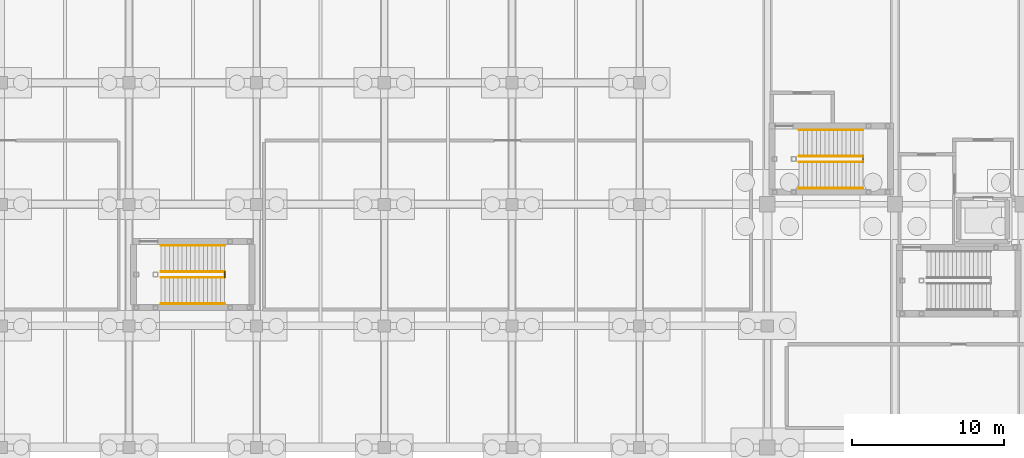
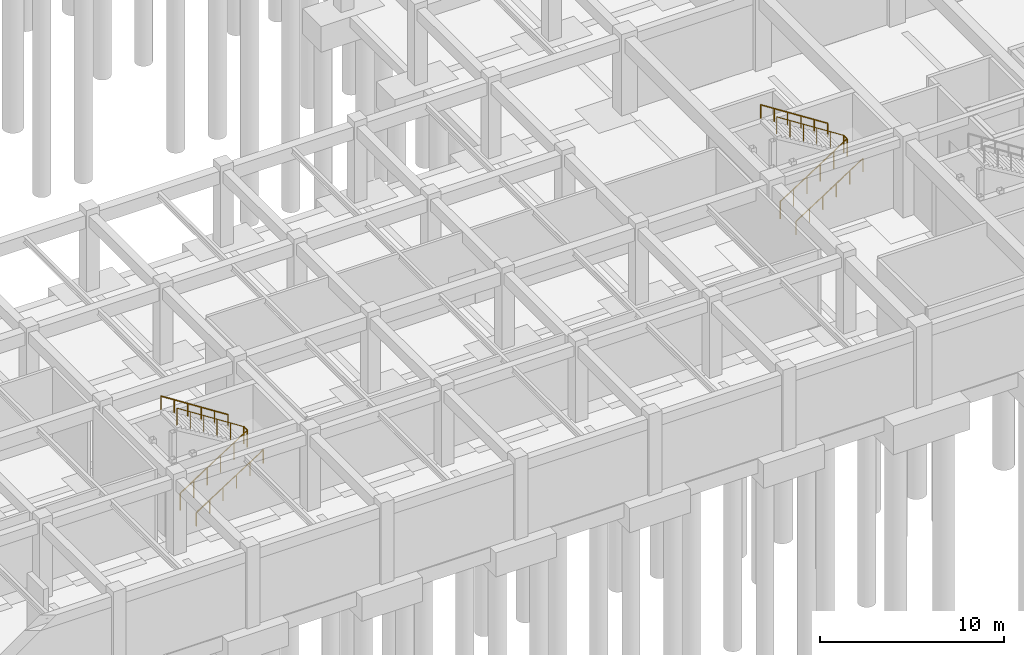
# One storey, part 50 of 56: 10 railings.
"""IFC4 building model written with IfcOpenShell, lengths in metres."""

from ifc_helpers import new_model, si_unit, direction, frame, origin, origin_2d, place, context, subcontext, project, spatial, circle, extrude, material, layer, layer_set, type_object, element, save


model = new_model("IFC4")

# Units and contexts
model_context = context("Model", 3, precision=1e-05, world=origin(), true_north=direction((0.0, 1.0)))
body_context = subcontext(model_context, "Body", "Model", "MODEL_VIEW")
ifc_project = project(units=[si_unit("LENGTHUNIT", "METRE"), si_unit("AREAUNIT", "SQUARE_METRE"), si_unit("VOLUMEUNIT", "CUBIC_METRE"), si_unit("PLANEANGLEUNIT", "RADIAN"), si_unit("MASSUNIT", "GRAM", prefix="KILO")], contexts=[model_context])

# Site, building, storey
site_placement = place(None, origin())
site = spatial("IfcSite", under=ifc_project, at=site_placement, CompositionType="ELEMENT")
building_placement = place(site_placement, origin())
building = spatial("IfcBuilding", under=site, at=building_placement, Name="Naruveol Harbour Congress Hotel", CompositionType="ELEMENT")
storey_placement = place(building_placement, frame((0.0, 0.0, -5.39990234375)))
storey = spatial("IfcBuildingStorey", under=building, at=storey_placement, Name="B01", CompositionType="ELEMENT", Elevation=-5.39990234375)

# Railings
ifc_material_1 = material(Name="Stainless Steel 304", Category="steel")
ifc_layer_1 = layer(ifc_material_1, 0.0419921875)
ifc_layer_set_1 = layer_set([ifc_layer_1], Name="Stainless Steel 304")
railing_type_1 = type_object("IfcRailingType", Name="STAIR WALL MOUNTED HANDRAIL 900", PredefinedType="HANDRAIL", material=ifc_layer_set_1)
railing_1_placement = place(storey_placement, frame((119.699951171875, 17.06005859375, 0.0)))
element("IfcRailing", 1, at=railing_1_placement, inside=storey, type_object=railing_type_1, Name="Stair ST3 B01 lower wall handrail", PredefinedType="HANDRAIL", context=body_context, shape_type="SweptSolid", body=[
    extrude(circle(Radius=0.02392578125, at=origin_2d()), frame((0.0, 0.0, 0.8759765625), z_axis=(0.841180064094, 0.0, 0.540755119968), x_axis=(0.0, 1.0, 0.0)), (0.0, 0.0, 1.0), 4.992919921875),
    extrude(circle(Radius=0.02099609375, at=origin_2d()), origin(), (0.0, 0.0, 1.0), 0.851806640625),
    extrude(circle(Radius=0.02099609375, at=origin_2d()), frame((0.840087890625, 0.0, 0.5400390625)), (0.0, 0.0, 1.0), 0.851806640625),
    extrude(circle(Radius=0.02099609375, at=origin_2d()), frame((1.679931640625, 0.0, 1.080078125)), (0.0, 0.0, 1.0), 0.851806640625),
    extrude(circle(Radius=0.02099609375, at=origin_2d()), frame((2.52001953125, 0.0, 1.619873046875)), (0.0, 0.0, 1.0), 0.851806640625),
    extrude(circle(Radius=0.02099609375, at=origin_2d()), frame((3.35986328125, 0.0, 2.159912109375)), (0.0, 0.0, 1.0), 0.851806640625),
    extrude(circle(Radius=0.02099609375, at=origin_2d()), frame((4.199951171875, 0.0, 2.699951171875)), (0.0, 0.0, 1.0), 0.851806640625),
])
railing_2_placement = place(storey_placement, frame((123.89990234375, 20.89990234375, 2.699951171875)))
element("IfcRailing", 2, at=railing_2_placement, inside=storey, type_object=railing_type_1, Name="Stair ST3 B01 upper wall handrail", PredefinedType="HANDRAIL", context=body_context, shape_type="SweptSolid", body=[
    extrude(circle(Radius=0.02392578125, at=origin_2d()), frame((0.0, 0.0, 0.8759765625), z_axis=(-0.841180064094, 0.0, 0.540755119968), x_axis=(0.0, -1.0, 0.0)), (0.0, 0.0, 1.0), 4.992919921875),
    extrude(circle(Radius=0.02099609375, at=origin_2d()), origin(), (0.0, 0.0, 1.0), 0.851806640625),
    extrude(circle(Radius=0.02099609375, at=origin_2d()), frame((-0.840087890625, 0.0, 0.5400390625)), (0.0, 0.0, 1.0), 0.851806640625),
    extrude(circle(Radius=0.02099609375, at=origin_2d()), frame((-1.679931640625, 0.0, 1.080078125)), (0.0, 0.0, 1.0), 0.851806640625),
    extrude(circle(Radius=0.02099609375, at=origin_2d()), frame((-2.52001953125, 0.0, 1.619873046875)), (0.0, 0.0, 1.0), 0.851806640625),
    extrude(circle(Radius=0.02099609375, at=origin_2d()), frame((-3.35986328125, 0.0, 2.159912109375)), (0.0, 0.0, 1.0), 0.851806640625),
    extrude(circle(Radius=0.02099609375, at=origin_2d()), frame((-4.199951171875, 0.0, 2.699951171875)), (0.0, 0.0, 1.0), 0.851806640625),
])
railing_3_placement = place(storey_placement, frame((77.699951171875, 9.4599609375, 0.0)))
element("IfcRailing", 3, at=railing_3_placement, inside=storey, type_object=railing_type_1, Name="Stair ST10 B01 lower wall handrail", PredefinedType="HANDRAIL", context=body_context, shape_type="SweptSolid", body=[
    extrude(circle(Radius=0.02392578125, at=origin_2d()), frame((0.0, 0.0, 0.8759765625), z_axis=(0.841180064094, 0.0, 0.540755119968), x_axis=(0.0, 1.0, 0.0)), (0.0, 0.0, 1.0), 4.992919921875),
    extrude(circle(Radius=0.02099609375, at=origin_2d()), origin(), (0.0, 0.0, 1.0), 0.851806640625),
    extrude(circle(Radius=0.02099609375, at=origin_2d()), frame((0.840087890625, 0.0, 0.5400390625)), (0.0, 0.0, 1.0), 0.851806640625),
    extrude(circle(Radius=0.02099609375, at=origin_2d()), frame((1.679931640625, 0.0, 1.080078125)), (0.0, 0.0, 1.0), 0.851806640625),
    extrude(circle(Radius=0.02099609375, at=origin_2d()), frame((2.52001953125, 0.0, 1.619873046875)), (0.0, 0.0, 1.0), 0.851806640625),
    extrude(circle(Radius=0.02099609375, at=origin_2d()), frame((3.35986328125, 0.0, 2.159912109375)), (0.0, 0.0, 1.0), 0.851806640625),
    extrude(circle(Radius=0.02099609375, at=origin_2d()), frame((4.199951171875, 0.0, 2.699951171875)), (0.0, 0.0, 1.0), 0.851806640625),
])
railing_4_placement = place(storey_placement, frame((81.89990234375, 13.300048828125, 2.699951171875)))
element("IfcRailing", 4, at=railing_4_placement, inside=storey, type_object=railing_type_1, Name="Stair ST10 B01 upper wall handrail", PredefinedType="HANDRAIL", context=body_context, shape_type="SweptSolid", body=[
    extrude(circle(Radius=0.02392578125, at=origin_2d()), frame((0.0, 0.0, 0.8759765625), z_axis=(-0.841180064094, 0.0, 0.540755119968), x_axis=(0.0, -1.0, 0.0)), (0.0, 0.0, 1.0), 4.992919921875),
    extrude(circle(Radius=0.02099609375, at=origin_2d()), origin(), (0.0, 0.0, 1.0), 0.851806640625),
    extrude(circle(Radius=0.02099609375, at=origin_2d()), frame((-0.840087890625, 0.0, 0.5400390625)), (0.0, 0.0, 1.0), 0.851806640625),
    extrude(circle(Radius=0.02099609375, at=origin_2d()), frame((-1.679931640625, 0.0, 1.080078125)), (0.0, 0.0, 1.0), 0.851806640625),
    extrude(circle(Radius=0.02099609375, at=origin_2d()), frame((-2.52001953125, 0.0, 1.619873046875)), (0.0, 0.0, 1.0), 0.851806640625),
    extrude(circle(Radius=0.02099609375, at=origin_2d()), frame((-3.35986328125, 0.0, 2.159912109375)), (0.0, 0.0, 1.0), 0.851806640625),
    extrude(circle(Radius=0.02099609375, at=origin_2d()), frame((-4.199951171875, 0.0, 2.699951171875)), (0.0, 0.0, 1.0), 0.851806640625),
])
ifc_material_2 = material(Name="Steel SN490", Category="steel")
ifc_layer_2 = layer(ifc_material_2, 0.044921875)
ifc_layer_set_2 = layer_set([ifc_layer_2], Name="Steel SN490")
railing_type_2 = type_object("IfcRailingType", Name="STAIRWELL STEEL GUARDRAIL 1150", PredefinedType="GUARDRAIL", material=ifc_layer_set_2)
railing_5_placement = place(storey_placement, frame((119.699951171875, 18.7900390625, 0.0)))
element("IfcRailing", 5, at=railing_5_placement, inside=storey, type_object=railing_type_2, Name="Stair ST3 B01 lower well guard", PredefinedType="GUARDRAIL", context=body_context, shape_type="SweptSolid", body=[
    extrude(circle(Radius=0.02392578125, at=origin_2d()), frame((0.0, 0.0, 1.1259765625), z_axis=(0.841180064094, 0.0, 0.540755119968), x_axis=(0.0, 1.0, 0.0)), (0.0, 0.0, 1.0), 4.992919921875),
    extrude(circle(Radius=0.02099609375, at=origin_2d()), origin(), (0.0, 0.0, 1.0), 1.101806640625),
    extrude(circle(Radius=0.02099609375, at=origin_2d()), frame((0.840087890625, 0.0, 0.5400390625)), (0.0, 0.0, 1.0), 1.101806640625),
    extrude(circle(Radius=0.02099609375, at=origin_2d()), frame((1.679931640625, 0.0, 1.080078125)), (0.0, 0.0, 1.0), 1.101806640625),
    extrude(circle(Radius=0.02099609375, at=origin_2d()), frame((2.52001953125, 0.0, 1.619873046875)), (0.0, 0.0, 1.0), 1.101806640625),
    extrude(circle(Radius=0.02099609375, at=origin_2d()), frame((3.35986328125, 0.0, 2.159912109375)), (0.0, 0.0, 1.0), 1.101806640625),
    extrude(circle(Radius=0.02099609375, at=origin_2d()), frame((4.199951171875, 0.0, 2.699951171875)), (0.0, 0.0, 1.0), 1.101806640625),
])
railing_6_placement = place(storey_placement, frame((123.89990234375, 18.7900390625, 2.699951171875)))
element("IfcRailing", 6, at=railing_6_placement, inside=storey, type_object=railing_type_2, Name="Stair ST3 B01 half-landing slot guard", PredefinedType="GUARDRAIL", context=body_context, shape_type="SweptSolid", body=[
    extrude(circle(Radius=0.02392578125, at=origin_2d()), frame((0.0, 0.0, 1.1259765625), z_axis=(0.0, 1.0, 0.0), x_axis=(-1.0, 0.0, 0.0)), (0.0, 0.0, 1.0), 0.3798828125),
    extrude(circle(Radius=0.02099609375, at=origin_2d()), origin(), (0.0, 0.0, 1.0), 1.101806640625),
    extrude(circle(Radius=0.02099609375, at=origin_2d()), frame((0.0, 0.3798828125, 0.0)), (0.0, 0.0, 1.0), 1.101806640625),
])
railing_7_placement = place(storey_placement, frame((123.89990234375, 19.169921875, 2.699951171875)))
element("IfcRailing", 7, at=railing_7_placement, inside=storey, type_object=railing_type_2, Name="Stair ST3 B01 upper well guard", PredefinedType="GUARDRAIL", context=body_context, shape_type="SweptSolid", body=[
    extrude(circle(Radius=0.02392578125, at=origin_2d()), frame((0.0, 0.0, 1.1259765625), z_axis=(-0.841180064094, 0.0, 0.540755119968), x_axis=(0.0, -1.0, 0.0)), (0.0, 0.0, 1.0), 4.992919921875),
    extrude(circle(Radius=0.02099609375, at=origin_2d()), origin(), (0.0, 0.0, 1.0), 1.101806640625),
    extrude(circle(Radius=0.02099609375, at=origin_2d()), frame((-0.840087890625, 0.0, 0.5400390625)), (0.0, 0.0, 1.0), 1.101806640625),
    extrude(circle(Radius=0.02099609375, at=origin_2d()), frame((-1.679931640625, 0.0, 1.080078125)), (0.0, 0.0, 1.0), 1.101806640625),
    extrude(circle(Radius=0.02099609375, at=origin_2d()), frame((-2.52001953125, 0.0, 1.619873046875)), (0.0, 0.0, 1.0), 1.101806640625),
    extrude(circle(Radius=0.02099609375, at=origin_2d()), frame((-3.35986328125, 0.0, 2.159912109375)), (0.0, 0.0, 1.0), 1.101806640625),
    extrude(circle(Radius=0.02099609375, at=origin_2d()), frame((-4.199951171875, 0.0, 2.699951171875)), (0.0, 0.0, 1.0), 1.101806640625),
])
railing_8_placement = place(storey_placement, frame((77.699951171875, 11.18994140625, 0.0)))
element("IfcRailing", 8, at=railing_8_placement, inside=storey, type_object=railing_type_2, Name="Stair ST10 B01 lower well guard", PredefinedType="GUARDRAIL", context=body_context, shape_type="SweptSolid", body=[
    extrude(circle(Radius=0.02392578125, at=origin_2d()), frame((0.0, 0.0, 1.1259765625), z_axis=(0.841180064094, 0.0, 0.540755119968), x_axis=(0.0, 1.0, 0.0)), (0.0, 0.0, 1.0), 4.992919921875),
    extrude(circle(Radius=0.02099609375, at=origin_2d()), origin(), (0.0, 0.0, 1.0), 1.101806640625),
    extrude(circle(Radius=0.02099609375, at=origin_2d()), frame((0.840087890625, 0.0, 0.5400390625)), (0.0, 0.0, 1.0), 1.101806640625),
    extrude(circle(Radius=0.02099609375, at=origin_2d()), frame((1.679931640625, 0.0, 1.080078125)), (0.0, 0.0, 1.0), 1.101806640625),
    extrude(circle(Radius=0.02099609375, at=origin_2d()), frame((2.52001953125, 0.0, 1.619873046875)), (0.0, 0.0, 1.0), 1.101806640625),
    extrude(circle(Radius=0.02099609375, at=origin_2d()), frame((3.35986328125, 0.0, 2.159912109375)), (0.0, 0.0, 1.0), 1.101806640625),
    extrude(circle(Radius=0.02099609375, at=origin_2d()), frame((4.199951171875, 0.0, 2.699951171875)), (0.0, 0.0, 1.0), 1.101806640625),
])
railing_9_placement = place(storey_placement, frame((81.89990234375, 11.18994140625, 2.699951171875)))
element("IfcRailing", 9, at=railing_9_placement, inside=storey, type_object=railing_type_2, Name="Stair ST10 B01 half-landing slot guard", PredefinedType="GUARDRAIL", context=body_context, shape_type="SweptSolid", body=[
    extrude(circle(Radius=0.02392578125, at=origin_2d()), frame((0.0, 0.0, 1.1259765625), z_axis=(0.0, 1.0, 0.0), x_axis=(-1.0, 0.0, 0.0)), (0.0, 0.0, 1.0), 0.380126953125),
    extrude(circle(Radius=0.02099609375, at=origin_2d()), origin(), (0.0, 0.0, 1.0), 1.101806640625),
    extrude(circle(Radius=0.02099609375, at=origin_2d()), frame((0.0, 0.380126953125, 0.0)), (0.0, 0.0, 1.0), 1.101806640625),
])
railing_10_placement = place(storey_placement, frame((81.89990234375, 11.570068359375, 2.699951171875)))
element("IfcRailing", 10, at=railing_10_placement, inside=storey, type_object=railing_type_2, Name="Stair ST10 B01 upper well guard", PredefinedType="GUARDRAIL", context=body_context, shape_type="SweptSolid", body=[
    extrude(circle(Radius=0.02392578125, at=origin_2d()), frame((0.0, 0.0, 1.1259765625), z_axis=(-0.841180064094, 0.0, 0.540755119968), x_axis=(0.0, -1.0, 0.0)), (0.0, 0.0, 1.0), 4.992919921875),
    extrude(circle(Radius=0.02099609375, at=origin_2d()), origin(), (0.0, 0.0, 1.0), 1.101806640625),
    extrude(circle(Radius=0.02099609375, at=origin_2d()), frame((-0.840087890625, 0.0, 0.5400390625)), (0.0, 0.0, 1.0), 1.101806640625),
    extrude(circle(Radius=0.02099609375, at=origin_2d()), frame((-1.679931640625, 0.0, 1.080078125)), (0.0, 0.0, 1.0), 1.101806640625),
    extrude(circle(Radius=0.02099609375, at=origin_2d()), frame((-2.52001953125, 0.0, 1.619873046875)), (0.0, 0.0, 1.0), 1.101806640625),
    extrude(circle(Radius=0.02099609375, at=origin_2d()), frame((-3.35986328125, 0.0, 2.159912109375)), (0.0, 0.0, 1.0), 1.101806640625),
    extrude(circle(Radius=0.02099609375, at=origin_2d()), frame((-4.199951171875, 0.0, 2.699951171875)), (0.0, 0.0, 1.0), 1.101806640625),
])

save(model, "model.ifc")
